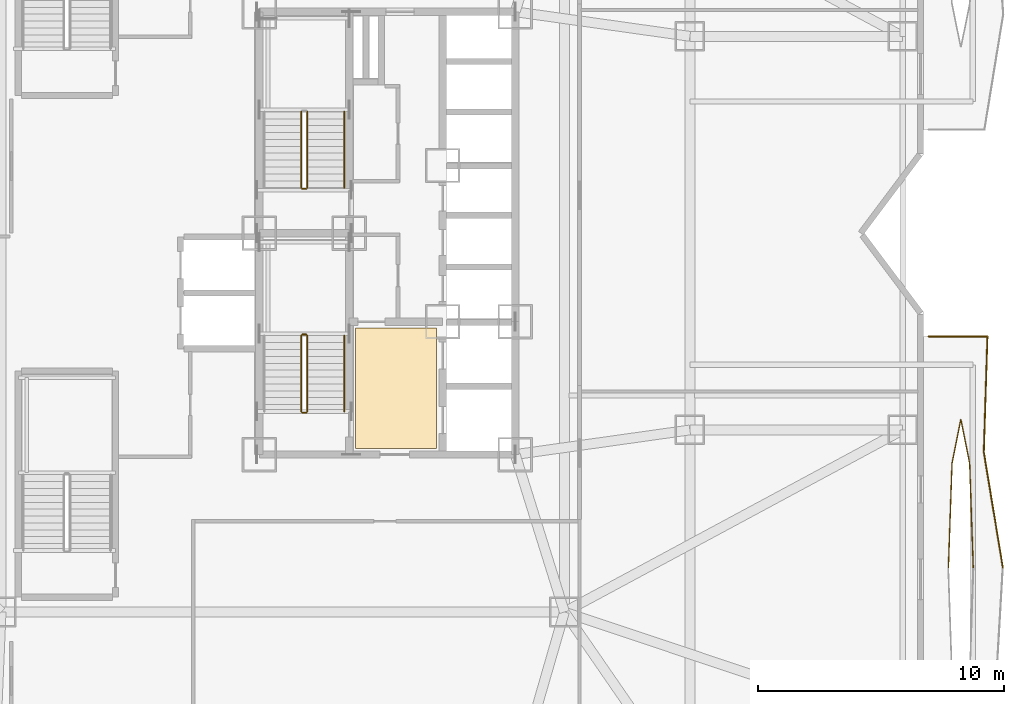
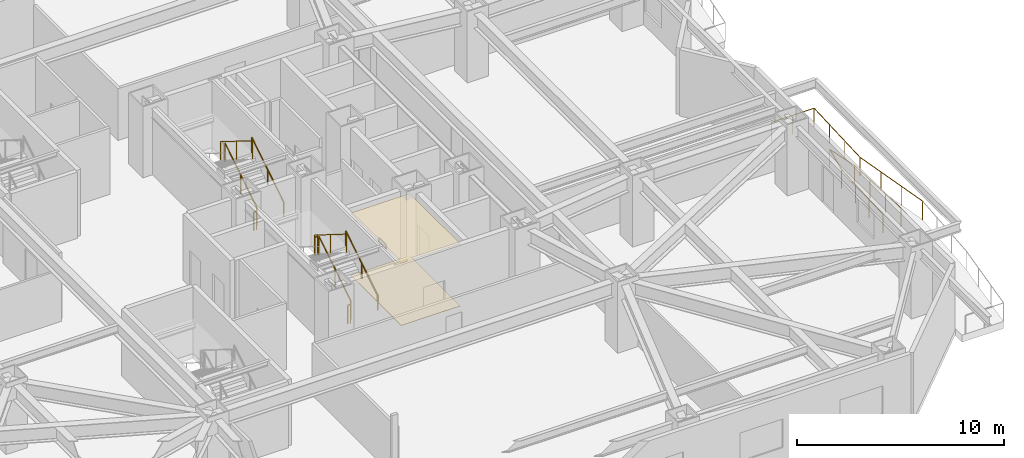
# One storey, part 22 of 25: 11 railings, 2 coverings.
"""IFC4 building model written with IfcOpenShell, lengths in metres."""

from ifc_helpers import new_model, si_unit, direction, frame, origin, origin_2d, place, context, subcontext, project, spatial, polyline, circle, outline, extrude, material, layer, layer_set, type_object, element, save


model = new_model("IFC4")

# Units and contexts
model_context = context("Model", 3, precision=1e-05, world=origin(), true_north=direction((0.0, 1.0)))
body_context = subcontext(model_context, "Body", "Model", "MODEL_VIEW")
ifc_project = project(units=[si_unit("LENGTHUNIT", "METRE"), si_unit("AREAUNIT", "SQUARE_METRE"), si_unit("VOLUMEUNIT", "CUBIC_METRE"), si_unit("PLANEANGLEUNIT", "RADIAN"), si_unit("MASSUNIT", "GRAM", prefix="KILO")], contexts=[model_context])

# Site, building, storey
site_placement = place(None, origin())
site = spatial("IfcSite", under=ifc_project, at=site_placement, CompositionType="ELEMENT")
building_placement = place(site_placement, origin())
building = spatial("IfcBuilding", under=site, at=building_placement, Name="Khamvora Tower", CompositionType="ELEMENT")
storey_placement = place(building_placement, frame((0.0, 0.0, 16.199951171875)))
storey = spatial("IfcBuildingStorey", under=building, at=storey_placement, Name="L03", CompositionType="ELEMENT", Elevation=16.199951171875)

# Coverings
ifc_material_1 = material(Name="Perforated Mineral-Fibre Acoustic Ceiling Tile", Category="gypsum")
ifc_layer_1 = layer(ifc_material_1, 0.02490234375)
ifc_layer_set_1 = layer_set([ifc_layer_1], Name="Perforated Mineral-Fibre Acoustic Ceiling Tile")
covering_type_1 = type_object("IfcCoveringType", Name="COV-CEIL-600", PredefinedType="CEILING", material=ifc_layer_set_1)
covering_1_placement = place(storey_placement, frame((0.0, 0.0, 3.670166015625)))
element("IfcCovering", 1, at=covering_1_placement, inside=storey, type_object=covering_type_1, Name="L03 core lobby suspended acoustic ceiling", PredefinedType="CEILING", context=body_context, shape_type="SweptSolid", body=[
    extrude(outline(polyline([(32.89990234375, 19.25), (36.199951171875, 19.25), (36.199951171875, 24.14990234375), (32.89990234375, 24.14990234375), (32.89990234375, 19.25)])), origin(), (0.0, 0.0, 1.0), 0.02490234375),
])
ifc_material_2 = material(Name="Honed Terrazzo Stone Tile", Category="masonry")
ifc_layer_2 = layer(ifc_material_2, 0.02001953125)
ifc_layer_set_2 = layer_set([ifc_layer_2], Name="Honed Terrazzo Stone Tile")
covering_type_2 = type_object("IfcCoveringType", Name="COV-FLOR-20", PredefinedType="FLOORING", material=ifc_layer_set_2)
covering_2_placement = place(storey_placement, origin())
element("IfcCovering", 2, at=covering_2_placement, inside=storey, type_object=covering_type_2, Name="L03 lift lobby terrazzo flooring", PredefinedType="FLOORING", context=body_context, shape_type="SweptSolid", body=[
    extrude(outline(polyline([(32.89990234375, 19.25), (36.199951171875, 19.25), (36.199951171875, 24.14990234375), (32.89990234375, 24.14990234375), (32.89990234375, 19.25)])), origin(), (0.0, 0.0, 1.0), 0.02001953125),
])

# Railings
ifc_material_3 = material(Name="Stainless Steel 316 and Laminated Glass", Category="steel")
railing_type_1 = type_object("IfcRailingType", Name="RAL-GAL-1120", PredefinedType="GUARDRAIL", material=ifc_material_3)
railing_1_placement = place(storey_placement, frame((59.22412109375, 14.39990234375, 0.0)))
element("IfcRailing", 3, at=railing_1_placement, inside=storey, type_object=railing_type_1, Name="L03 lens gallery north perimeter guardrail EL1", PredefinedType="GUARDRAIL", context=body_context, shape_type="SweptSolid", body=[
    extrude(circle(Radius=0.02392578125, at=origin_2d()), frame((0.0, 0.0, 1.09619140625), z_axis=(-0.162520369495, 0.986705188746, 0.0), x_axis=(-0.986705188746, -0.162520369495, 0.0)), (0.0, 0.0, 1.0), 4.763427734375),
    extrude(circle(Radius=0.02392578125, at=origin_2d()), frame((-0.774169921875, 4.7001953125, 1.09619140625), z_axis=(0.031463299265, 0.999504907842, 0.0), x_axis=(-0.999504907842, 0.031463299265, 0.0)), (0.0, 0.0, 1.0), 4.702392578125),
    extrude(circle(Radius=0.02392578125, at=origin_2d()), frame((-0.626220703125, 9.400146484375, 1.09619140625), z_axis=(-1.0, 0.0, 0.0), x_axis=(0.0, -1.0, 0.0)), (0.0, 0.0, 1.0), 2.39794921875),
    extrude(circle(Radius=0.02099609375, at=origin_2d()), origin(), (0.0, 0.0, 1.0), 1.072021484375),
    extrude(circle(Radius=0.02099609375, at=origin_2d()), frame((-0.258056640625, 1.566650390625, 0.0)), (0.0, 0.0, 1.0), 1.072021484375),
    extrude(circle(Radius=0.02099609375, at=origin_2d()), frame((-0.51611328125, 3.133544921875, 0.0)), (0.0, 0.0, 1.0), 1.072021484375),
    extrude(circle(Radius=0.02099609375, at=origin_2d()), frame((-0.774169921875, 4.7001953125, 0.0)), (0.0, 0.0, 1.0), 1.072021484375),
    extrude(circle(Radius=0.02099609375, at=origin_2d()), frame((-0.724853515625, 6.266845703125, 0.0)), (0.0, 0.0, 1.0), 1.072021484375),
    extrude(circle(Radius=0.02099609375, at=origin_2d()), frame((-0.675537109375, 7.83349609375, 0.0)), (0.0, 0.0, 1.0), 1.072021484375),
    extrude(circle(Radius=0.02099609375, at=origin_2d()), frame((-0.626220703125, 9.400146484375, 0.0)), (0.0, 0.0, 1.0), 1.072021484375),
    extrude(circle(Radius=0.02099609375, at=origin_2d()), frame((-1.8251953125, 9.400146484375, 0.0)), (0.0, 0.0, 1.0), 1.072021484375),
    extrude(circle(Radius=0.02099609375, at=origin_2d()), frame((-3.024169921875, 9.400146484375, 0.0)), (0.0, 0.0, 1.0), 1.072021484375),
])
railing_2_placement = place(storey_placement, frame((58.01904296875, 14.39990234375, 0.0)))
element("IfcRailing", 4, at=railing_2_placement, inside=storey, type_object=railing_type_1, Name="L03 lens gallery void guardrail EL1A", PredefinedType="GUARDRAIL", context=body_context, shape_type="SweptSolid", body=[
    extrude(circle(Radius=0.02392578125, at=origin_2d()), frame((0.0, 0.0, 1.09619140625), z_axis=(-0.034756605959, 0.999395806646, 0.0), x_axis=(-0.999395806646, -0.034756605959, 0.0)), (0.0, 0.0, 1.0), 4.2568359375),
    extrude(circle(Radius=0.02392578125, at=origin_2d()), frame((-0.14794921875, 4.254150390625, 1.09619140625), z_axis=(-0.198152924969, 0.98017111686, 0.0), x_axis=(-0.98017111686, -0.198152924969, 0.0)), (0.0, 0.0, 1.0), 1.797607421875),
    extrude(circle(Radius=0.02392578125, at=origin_2d()), frame((-0.504150390625, 6.01611328125, 1.09619140625), z_axis=(-0.198022438185, -0.980197487232, 0.0), x_axis=(0.980197487232, -0.198022438185, 0.0)), (0.0, 0.0, 1.0), 1.797607421875),
    extrude(circle(Radius=0.02392578125, at=origin_2d()), frame((-0.860107421875, 4.254150390625, 1.09619140625), z_axis=(-0.034756605959, -0.999395806646, 0.0), x_axis=(0.999395806646, -0.034756605959, 0.0)), (0.0, 0.0, 1.0), 4.2568359375),
    extrude(circle(Radius=0.02099609375, at=origin_2d()), origin(), (0.0, 0.0, 1.0), 1.072021484375),
    extrude(circle(Radius=0.02099609375, at=origin_2d()), frame((-0.04931640625, 1.41796875, 0.0)), (0.0, 0.0, 1.0), 1.072021484375),
    extrude(circle(Radius=0.02099609375, at=origin_2d()), frame((-0.0986328125, 2.836181640625, 0.0)), (0.0, 0.0, 1.0), 1.072021484375),
    extrude(circle(Radius=0.02099609375, at=origin_2d()), frame((-0.14794921875, 4.254150390625, 0.0)), (0.0, 0.0, 1.0), 1.072021484375),
    extrude(circle(Radius=0.02099609375, at=origin_2d()), frame((-0.504150390625, 6.01611328125, 0.0)), (0.0, 0.0, 1.0), 1.072021484375),
    extrude(circle(Radius=0.02099609375, at=origin_2d()), frame((-0.860107421875, 4.254150390625, 0.0)), (0.0, 0.0, 1.0), 1.072021484375),
    extrude(circle(Radius=0.02099609375, at=origin_2d()), frame((-0.909423828125, 2.836181640625, 0.0)), (0.0, 0.0, 1.0), 1.072021484375),
    extrude(circle(Radius=0.02099609375, at=origin_2d()), frame((-0.958740234375, 1.41796875, 0.0)), (0.0, 0.0, 1.0), 1.072021484375),
    extrude(circle(Radius=0.02099609375, at=origin_2d()), frame((-1.008056640625, 0.0, 0.0)), (0.0, 0.0, 1.0), 1.072021484375),
])
ifc_material_4 = material(Name="Brushed Stainless Steel 316", Category="steel")
railing_type_2 = type_object("IfcRailingType", Name="RAL-HDR-920", PredefinedType="HANDRAIL", material=ifc_material_4)
railing_3_placement = place(storey_placement, frame((32.449951171875, 20.75, 0.175048828125)))
element("IfcRailing", 5, at=railing_3_placement, inside=storey, type_object=railing_type_2, Name="L03 ST-01 stair handrail 1", PredefinedType="HANDRAIL", context=body_context, shape_type="SweptSolid", body=[
    extrude(circle(Radius=0.02392578125, at=origin_2d()), frame((0.0, 0.0, 0.8759765625), z_axis=(0.0, 0.847998304005, 0.529998940003), x_axis=(-1.0, 0.0, 0.0)), (0.0, 0.0, 1.0), 3.632080078125),
    extrude(circle(Radius=0.02099609375, at=origin_2d()), origin(), (0.0, 0.0, 1.0), 0.851806640625),
    extrude(circle(Radius=0.02099609375, at=origin_2d()), frame((0.0, 1.5400390625, 0.96240234375)), (0.0, 0.0, 1.0), 0.851806640625),
    extrude(circle(Radius=0.02099609375, at=origin_2d()), frame((0.0, 3.080078125, 1.925048828125)), (0.0, 0.0, 1.0), 0.851806640625),
])
railing_4_placement = place(storey_placement, frame((32.449951171875, 29.85009765625, 0.175048828125)))
element("IfcRailing", 6, at=railing_4_placement, inside=storey, type_object=railing_type_2, Name="L03 ST-02 stair handrail 1", PredefinedType="HANDRAIL", context=body_context, shape_type="SweptSolid", body=[
    extrude(circle(Radius=0.02392578125, at=origin_2d()), frame((0.0, 0.0, 0.8759765625), z_axis=(0.0, 0.847979421464, 0.530029150871), x_axis=(-1.0, 0.0, 0.0)), (0.0, 0.0, 1.0), 3.632080078125),
    extrude(circle(Radius=0.02099609375, at=origin_2d()), origin(), (0.0, 0.0, 1.0), 0.851806640625),
    extrude(circle(Radius=0.02099609375, at=origin_2d()), frame((0.0, 1.5400390625, 0.96240234375)), (0.0, 0.0, 1.0), 0.851806640625),
    extrude(circle(Radius=0.02099609375, at=origin_2d()), frame((0.0, 3.079833984375, 1.925048828125)), (0.0, 0.0, 1.0), 0.851806640625),
])
ifc_material_5 = material(Name="Stainless Steel 316", Category="steel")
railing_type_3 = type_object("IfcRailingType", Name="RAL-STG-1100", PredefinedType="GUARDRAIL", material=ifc_material_5)
railing_5_placement = place(storey_placement, frame((30.949951171875, 20.75, 0.175048828125)))
element("IfcRailing", 7, at=railing_5_placement, inside=storey, type_object=railing_type_3, Name="L03 ST-01 stair guard 1", PredefinedType="GUARDRAIL", context=body_context, shape_type="SweptSolid", body=[
    extrude(circle(Radius=0.02392578125, at=origin_2d()), frame((0.0, 0.0, 1.076171875), z_axis=(0.0, 0.847998304005, 0.529998940003), x_axis=(-1.0, 0.0, 0.0)), (0.0, 0.0, 1.0), 3.632080078125),
    extrude(circle(Radius=0.02099609375, at=origin_2d()), origin(), (0.0, 0.0, 1.0), 1.052001953125),
    extrude(circle(Radius=0.02099609375, at=origin_2d()), frame((0.0, 1.5400390625, 0.96240234375)), (0.0, 0.0, 1.0), 1.052001953125),
    extrude(circle(Radius=0.02099609375, at=origin_2d()), frame((0.0, 3.080078125, 1.925048828125)), (0.0, 0.0, 1.0), 1.052001953125),
])
railing_6_placement = place(storey_placement, frame((30.89990234375, 23.8798828125, 2.10009765625)))
element("IfcRailing", 8, at=railing_6_placement, inside=storey, type_object=railing_type_3, Name="L03 ST-01 stair guard 2", PredefinedType="GUARDRAIL", context=body_context, shape_type="SweptSolid", body=[
    extrude(circle(Radius=0.02392578125, at=origin_2d()), frame((0.0, 0.0, 1.076171875), z_axis=(-1.0, 0.0, 0.0), x_axis=(0.0, -1.0, 0.0)), (0.0, 0.0, 1.0), 0.14990234375),
    extrude(circle(Radius=0.02099609375, at=origin_2d()), origin(), (0.0, 0.0, 1.0), 1.052001953125),
    extrude(circle(Radius=0.02099609375, at=origin_2d()), frame((-0.14990234375, 0.0, 0.0)), (0.0, 0.0, 1.0), 1.052001953125),
])
railing_7_placement = place(storey_placement, frame((30.699951171875, 23.830078125, 2.275146484375)))
element("IfcRailing", 9, at=railing_7_placement, inside=storey, type_object=railing_type_3, Name="L03 ST-01 stair guard 3", PredefinedType="GUARDRAIL", context=body_context, shape_type="SweptSolid", body=[
    extrude(circle(Radius=0.02392578125, at=origin_2d()), frame((0.0, 0.0, 1.076171875), z_axis=(0.0, -0.848028513186, 0.529950602248), x_axis=(1.0, 0.0, 0.0)), (0.0, 0.0, 1.0), 3.632080078125),
    extrude(circle(Radius=0.02099609375, at=origin_2d()), origin(), (0.0, 0.0, 1.0), 1.052001953125),
    extrude(circle(Radius=0.02099609375, at=origin_2d()), frame((0.0, -1.5400390625, 0.96240234375)), (0.0, 0.0, 1.0), 1.052001953125),
    extrude(circle(Radius=0.02099609375, at=origin_2d()), frame((0.0, -3.080078125, 1.9248046875)), (0.0, 0.0, 1.0), 1.052001953125),
])
railing_8_placement = place(storey_placement, frame((30.89990234375, 20.699951171875, 0.0)))
element("IfcRailing", 10, at=railing_8_placement, inside=storey, type_object=railing_type_3, Name="L03 ST-01 stair guard 4", PredefinedType="GUARDRAIL", context=body_context, shape_type="SweptSolid", body=[
    extrude(circle(Radius=0.02392578125, at=origin_2d()), frame((0.0, 0.0, 1.076171875), z_axis=(-1.0, 0.0, 0.0), x_axis=(0.0, -1.0, 0.0)), (0.0, 0.0, 1.0), 0.14990234375),
    extrude(circle(Radius=0.02099609375, at=origin_2d()), origin(), (0.0, 0.0, 1.0), 1.052001953125),
    extrude(circle(Radius=0.02099609375, at=origin_2d()), frame((-0.14990234375, 0.0, 0.0)), (0.0, 0.0, 1.0), 1.052001953125),
])
railing_9_placement = place(storey_placement, frame((30.949951171875, 29.85009765625, 0.175048828125)))
element("IfcRailing", 11, at=railing_9_placement, inside=storey, type_object=railing_type_3, Name="L03 ST-02 stair guard 1", PredefinedType="GUARDRAIL", context=body_context, shape_type="SweptSolid", body=[
    extrude(circle(Radius=0.02392578125, at=origin_2d()), frame((0.0, 0.0, 1.076171875), z_axis=(0.0, 0.847979421464, 0.530029150871), x_axis=(-1.0, 0.0, 0.0)), (0.0, 0.0, 1.0), 3.632080078125),
    extrude(circle(Radius=0.02099609375, at=origin_2d()), origin(), (0.0, 0.0, 1.0), 1.052001953125),
    extrude(circle(Radius=0.02099609375, at=origin_2d()), frame((0.0, 1.5400390625, 0.96240234375)), (0.0, 0.0, 1.0), 1.052001953125),
    extrude(circle(Radius=0.02099609375, at=origin_2d()), frame((0.0, 3.079833984375, 1.925048828125)), (0.0, 0.0, 1.0), 1.052001953125),
])
railing_10_placement = place(storey_placement, frame((30.699951171875, 32.929931640625, 2.275146484375)))
element("IfcRailing", 12, at=railing_10_placement, inside=storey, type_object=railing_type_3, Name="L03 ST-02 stair guard 3", PredefinedType="GUARDRAIL", context=body_context, shape_type="SweptSolid", body=[
    extrude(circle(Radius=0.02392578125, at=origin_2d()), frame((0.0, 0.0, 1.076171875), z_axis=(0.0, -0.848009633417, 0.529980812513), x_axis=(1.0, 0.0, 0.0)), (0.0, 0.0, 1.0), 3.6318359375),
    extrude(circle(Radius=0.02099609375, at=origin_2d()), origin(), (0.0, 0.0, 1.0), 1.052001953125),
    extrude(circle(Radius=0.02099609375, at=origin_2d()), frame((0.0, -1.5400390625, 0.96240234375)), (0.0, 0.0, 1.0), 1.052001953125),
    extrude(circle(Radius=0.02099609375, at=origin_2d()), frame((0.0, -3.079833984375, 1.9248046875)), (0.0, 0.0, 1.0), 1.052001953125),
])
railing_11_placement = place(storey_placement, frame((30.89990234375, 29.800048828125, 0.0)))
element("IfcRailing", 13, at=railing_11_placement, inside=storey, type_object=railing_type_3, Name="L03 ST-02 stair guard 4", PredefinedType="GUARDRAIL", context=body_context, shape_type="SweptSolid", body=[
    extrude(circle(Radius=0.02392578125, at=origin_2d()), frame((0.0, 0.0, 1.076171875), z_axis=(-1.0, 0.0, 0.0), x_axis=(0.0, -1.0, 0.0)), (0.0, 0.0, 1.0), 0.14990234375),
    extrude(circle(Radius=0.02099609375, at=origin_2d()), origin(), (0.0, 0.0, 1.0), 1.052001953125),
    extrude(circle(Radius=0.02099609375, at=origin_2d()), frame((-0.14990234375, 0.0, 0.0)), (0.0, 0.0, 1.0), 1.052001953125),
])

save(model, "model.ifc")
